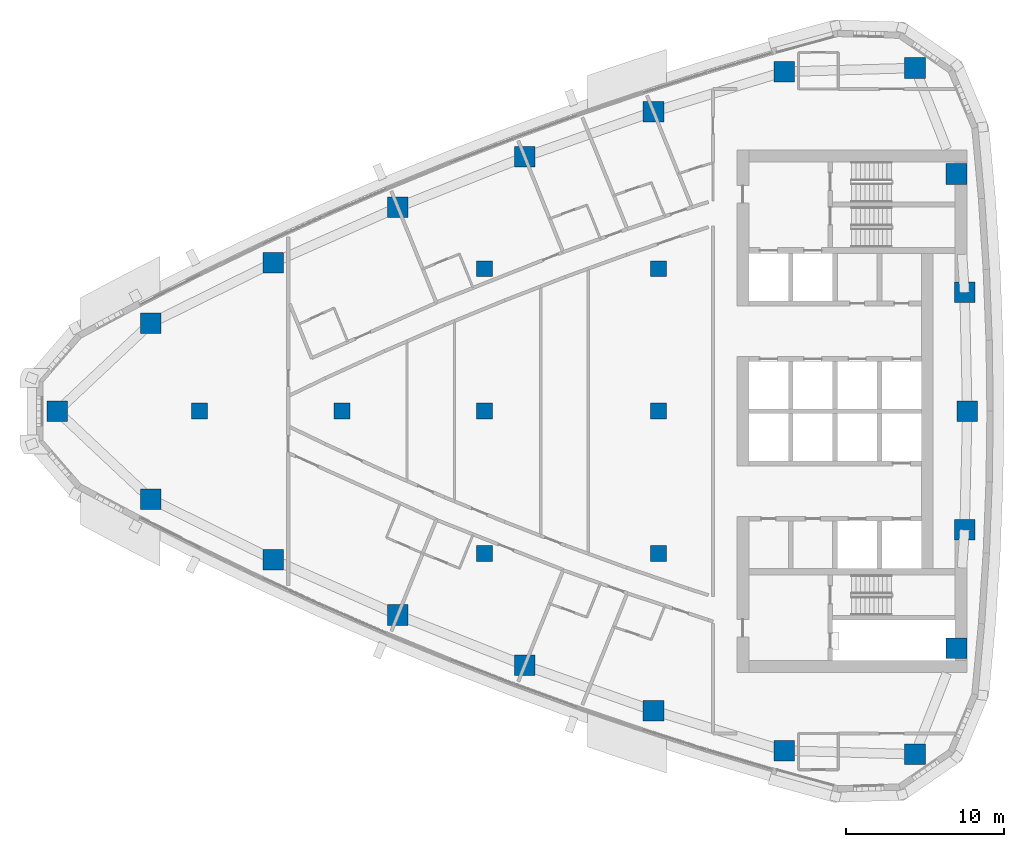
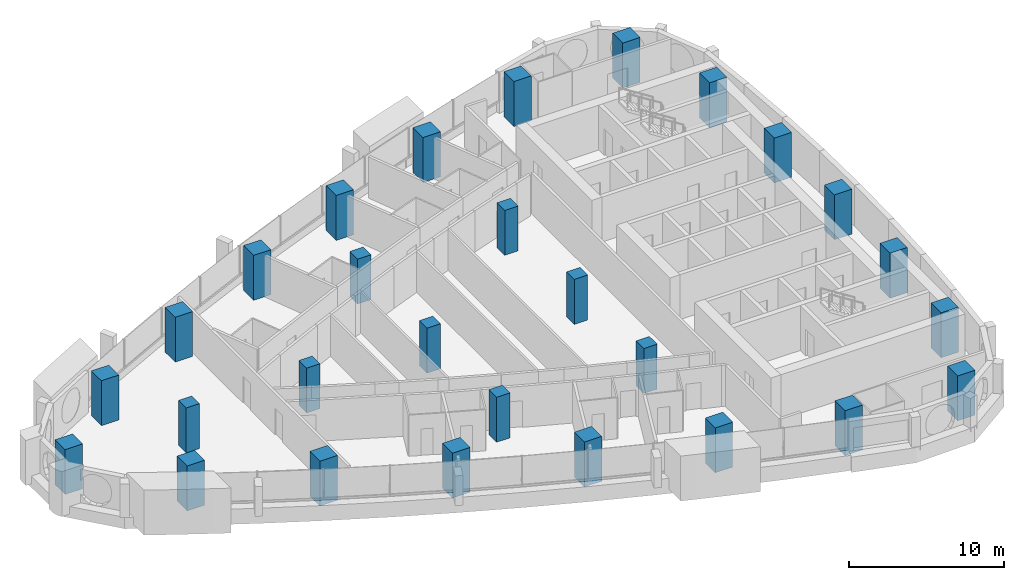
# One storey, part 1 of 17: 28 columns.
"""IFC4 building model written with IfcOpenShell, lengths in metres."""

from ifc_helpers import new_model, si_unit, direction, frame, origin, origin_2d, place, context, subcontext, project, spatial, rectangle, extrude, material, material_profile, profile_set, type_object, element, save


model = new_model("IFC4")

# Units and contexts
model_context = context("Model", 3, precision=1e-05, world=origin(), true_north=direction((0.0, 1.0)))
body_context = subcontext(model_context, "Body", "Model", "MODEL_VIEW")
ifc_project = project(units=[si_unit("LENGTHUNIT", "METRE"), si_unit("AREAUNIT", "SQUARE_METRE"), si_unit("VOLUMEUNIT", "CUBIC_METRE"), si_unit("PLANEANGLEUNIT", "RADIAN"), si_unit("MASSUNIT", "GRAM", prefix="KILO")], contexts=[model_context])

# Site, building, storey
site_placement = place(None, origin())
site = spatial("IfcSite", under=ifc_project, at=site_placement, CompositionType="ELEMENT")
building_placement = place(site_placement, origin())
building = spatial("IfcBuilding", under=site, at=building_placement, Name="Ostrand Prow Hotel Tower", CompositionType="ELEMENT")
storey_placement = place(building_placement, frame((0.0, 0.0, 179.050048828125)))
storey = spatial("IfcBuildingStorey", under=building, at=storey_placement, Name="L44", CompositionType="ELEMENT", Elevation=179.050048828125)

# Columns
ifc_material_1 = material(Name="Concrete C60/75", Category="concrete")
ifc_material_profile_1 = material_profile(ifc_material_1, rectangle(XDim=1.0, YDim=1.0, at=origin_2d()), Name="RC 1000x1000")
ifc_profile_set_1 = profile_set([ifc_material_profile_1], Name="Concrete C60/75")
column_type_1 = type_object("IfcColumnType", Name="Interior column 1000x1000 C60/75", PredefinedType="COLUMN", material=ifc_profile_set_1)
for number, where, z_axis, x_axis, name in (
    (1, (16.0, 0.0, 0.0), (0.0, 0.0, 1.0), (1.0, 0.0, 0.0), "Interior column 16C0"),
    (2, (25.0, 0.0, 0.0), (0.0, 0.0, 1.0), (1.0, 0.0, 0.0), "Interior column 25C0"),
    (3, (34.0, -9.0, 0.0), (0.0, 0.0, 1.0), (1.0, 0.0, 0.0), "Interior column 34S9"),
    (4, (34.0, 0.0, 0.0), (0.0, 0.0, 1.0), (1.0, 0.0, 0.0), "Interior column 34C0"),
    (5, (34.0, 9.0, 0.0), (0.0, 0.0, 1.0), (1.0, 0.0, 0.0), "Interior column 34N9"),
    (6, (45.0, -9.0, 0.0), (0.0, 0.0, 1.0), (1.0, 0.0, 0.0), "Interior column 45S9"),
    (7, (45.0, 0.0, 0.0), (0.0, 0.0, 1.0), (1.0, 0.0, 0.0), "Interior column 45C0"),
    (8, (45.0, 9.0, 0.0), (0.0, 0.0, 1.0), (1.0, 0.0, 0.0), "Interior column 45N9"),
):
    element("IfcColumn", number, at=place(storey_placement, frame(where, z_axis=z_axis, x_axis=x_axis)), inside=storey, type_object=column_type_1, Name=name, PredefinedType="COLUMN", context=body_context, shape_type="SweptSolid", body=[
        extrude(rectangle(XDim=1.0, YDim=1.0, at=origin_2d()), origin(), (0.0, 0.0, 1.0), 3.550048828125),
    ])
ifc_material_2 = material(Name="Concrete C60/75", Category="concrete")
ifc_material_profile_2 = material_profile(ifc_material_2, rectangle(XDim=1.300048828125, YDim=1.300048828125, at=origin_2d()), Name="RC 1300x1300")
ifc_profile_set_2 = profile_set([ifc_material_profile_2], Name="Concrete C60/75")
column_type_2 = type_object("IfcColumnType", Name="Stone-faced mega column 1300x1300 C60/75", PredefinedType="COLUMN", material=ifc_profile_set_2)
for number, where, z_axis, x_axis, name in (
    (9, (7.01708984375, 0.0, 0.0), (0.0, 0.0, 1.0), (1.0, 0.0, 0.0), "Mega column P"),
    (10, (12.9287109375, -5.551513671875, 0.0), (0.0, 0.0, 1.0), (1.0, 0.0, 0.0), "Mega column S1"),
    (11, (20.656982421875, -9.373291015625, 0.0), (0.0, 0.0, 1.0), (1.0, 0.0, 0.0), "Mega column S2"),
    (12, (28.5341796875, -12.878173828125, 0.0), (0.0, 0.0, 1.0), (1.0, 0.0, 0.0), "Mega column S3"),
    (13, (36.547119140625, -16.060791015625, 0.0), (0.0, 0.0, 1.0), (1.0, 0.0, 0.0), "Mega column S4"),
    (14, (44.6826171875, -18.91552734375, 0.0), (0.0, 0.0, 1.0), (1.0, 0.0, 0.0), "Mega column S5"),
    (15, (52.92724609375, -21.43798828125, 0.0), (0.0, 0.0, 1.0), (1.0, 0.0, 0.0), "Mega column S6"),
    (16, (61.198486328125, -21.678955078125, 0.0), (0.0, 0.0, 1.0), (1.0, 0.0, 0.0), "Mega column SE"),
    (17, (63.822021484375, -14.983154296875, 0.0), (0.0, 0.0, 1.0), (1.0, 0.0, 0.0), "Mega column B1"),
    (18, (64.330322265625, -7.499267578125, 0.0), (0.0, 0.0, 1.0), (1.0, 0.0, 0.0), "Mega column B2"),
    (19, (64.5, 0.0, 0.0), (0.0, 0.0, 1.0), (1.0, 0.0, 0.0), "Mega column B3"),
    (20, (64.330322265625, 7.499267578125, 0.0), (0.0, 0.0, 1.0), (1.0, 0.0, 0.0), "Mega column B4"),
    (21, (63.822021484375, 14.983154296875, 0.0), (0.0, 0.0, 1.0), (1.0, 0.0, 0.0), "Mega column B5"),
    (22, (61.198486328125, 21.678955078125, 0.0), (0.0, 0.0, 1.0), (1.0, 0.0, 0.0), "Mega column NE"),
    (23, (52.92724609375, 21.43798828125, 0.0), (0.0, 0.0, 1.0), (1.0, 0.0, 0.0), "Mega column N1"),
    (24, (44.6826171875, 18.91552734375, 0.0), (0.0, 0.0, 1.0), (1.0, 0.0, 0.0), "Mega column N2"),
    (25, (36.547119140625, 16.060791015625, 0.0), (0.0, 0.0, 1.0), (1.0, 0.0, 0.0), "Mega column N3"),
    (26, (28.5341796875, 12.878173828125, 0.0), (0.0, 0.0, 1.0), (1.0, 0.0, 0.0), "Mega column N4"),
    (27, (20.656982421875, 9.373291015625, 0.0), (0.0, 0.0, 1.0), (1.0, 0.0, 0.0), "Mega column N5"),
    (28, (12.9287109375, 5.551513671875, 0.0), (0.0, 0.0, 1.0), (1.0, 0.0, 0.0), "Mega column N6"),
):
    element("IfcColumn", number, at=place(storey_placement, frame(where, z_axis=z_axis, x_axis=x_axis)), inside=storey, type_object=column_type_2, Name=name, PredefinedType="COLUMN", context=body_context, shape_type="SweptSolid", body=[
        extrude(rectangle(XDim=1.300048828125, YDim=1.300048828125, at=origin_2d()), origin(), (0.0, 0.0, 1.0), 3.550048828125),
    ])

save(model, "model.ifc")
